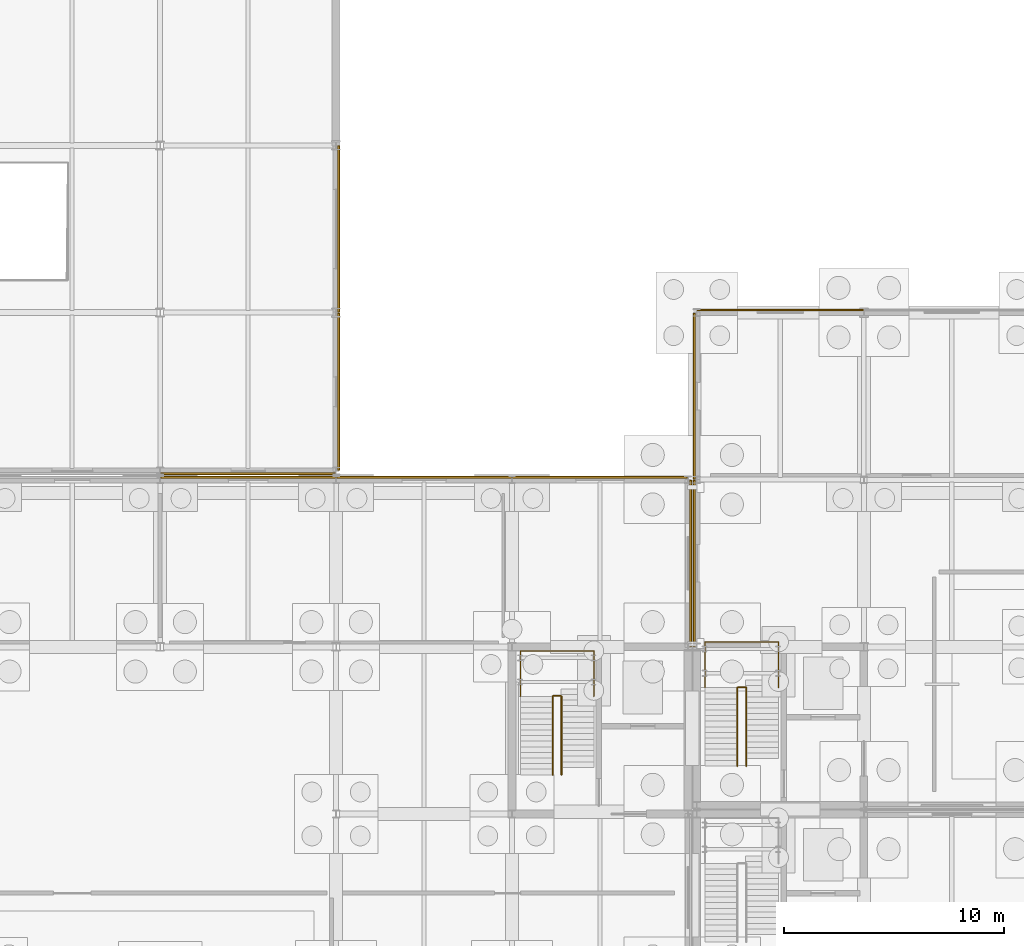
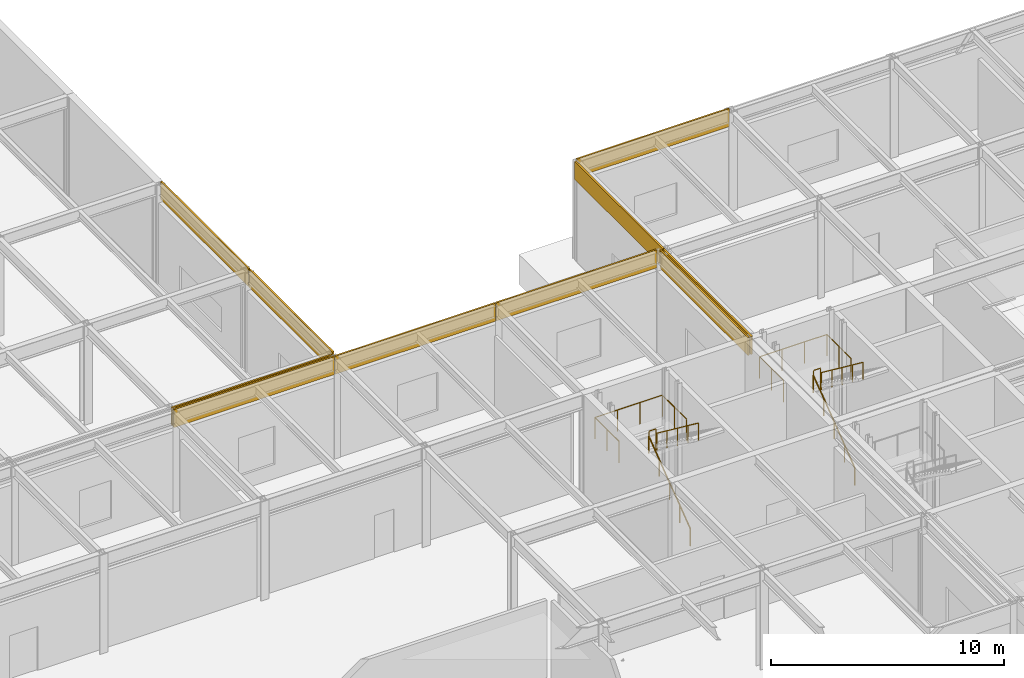
# One storey, part 58 of 62: 10 coverings, 8 railings.
"""IFC4 building model written with IfcOpenShell, lengths in metres."""

from ifc_helpers import new_model, si_unit, direction, frame, origin, origin_2d, place, context, subcontext, project, spatial, rectangle, circle, extrude, material, layer, layer_set, type_object, element, save


model = new_model("IFC4")

# Units and contexts
model_context = context("Model", 3, precision=1e-05, world=origin(), true_north=direction((0.0, 1.0)))
body_context = subcontext(model_context, "Body", "Model", "MODEL_VIEW")
ifc_project = project(units=[si_unit("LENGTHUNIT", "METRE"), si_unit("AREAUNIT", "SQUARE_METRE"), si_unit("VOLUMEUNIT", "CUBIC_METRE"), si_unit("PLANEANGLEUNIT", "RADIAN"), si_unit("MASSUNIT", "GRAM", prefix="KILO")], contexts=[model_context])

# Site, building, storey
site_placement = place(None, origin())
site = spatial("IfcSite", under=ifc_project, at=site_placement, CompositionType="ELEMENT")
building_placement = place(site_placement, origin())
building = spatial("IfcBuilding", under=site, at=building_placement, Name="Zulena Civic Courthouse", CompositionType="ELEMENT")
storey_placement = place(building_placement, origin())
storey = spatial("IfcBuildingStorey", under=building, at=storey_placement, Name="L00", CompositionType="ELEMENT", Elevation=0.0)

# Railings
ifc_material_1 = material(Name="Brushed architectural steel ASTM A36", Category="steel")
railing_type_1 = type_object("IfcRailingType", Name="InteriorGuardrail_1150", PredefinedType="GUARDRAIL", material=ifc_material_1)
railing_1_placement = place(storey_placement, frame((124.780029296875, 36.149658203125, 2.699951171875)))
element("IfcRailing", 1, at=railing_1_placement, inside=storey, type_object=railing_type_1, Name="gr:lnd:K3A:L00", PredefinedType="GUARDRAIL", context=body_context, shape_type="SweptSolid", body=[
    extrude(circle(Radius=0.02392578125, at=origin_2d()), frame((0.0, 0.00390625, 1.1259765625), z_axis=(0.0, 1.0, 0.0), x_axis=(-1.0, 0.0, 0.0)), (0.0, 0.0, 1.0), 2.062255859375),
    extrude(circle(Radius=0.02392578125, at=origin_2d()), frame((0.00390625, 2.0703125, 1.1259765625), z_axis=(1.0, 0.0, 0.0), x_axis=(0.0, 1.0, 0.0)), (0.0, 0.0, 1.0), 3.33203125),
    extrude(circle(Radius=0.02392578125, at=origin_2d()), frame((3.340087890625, 2.06640625, 1.1259765625), z_axis=(0.0, -1.0, 0.0), x_axis=(1.0, 0.0, 0.0)), (0.0, 0.0, 1.0), 2.062255859375),
    extrude(circle(Radius=0.02099609375, at=origin_2d()), origin(), (0.0, 0.0, 1.0), 1.097900390625),
    extrude(circle(Radius=0.02099609375, at=origin_2d()), frame((0.0, 1.03515625, 0.0)), (0.0, 0.0, 1.0), 1.097900390625),
    extrude(circle(Radius=0.02099609375, at=origin_2d()), frame((0.0, 2.0703125, 0.0)), (0.0, 0.0, 1.0), 1.097900390625),
    extrude(circle(Radius=0.02099609375, at=origin_2d()), frame((1.11328125, 2.0703125, 0.0)), (0.0, 0.0, 1.0), 1.097900390625),
    extrude(circle(Radius=0.02099609375, at=origin_2d()), frame((2.226806640625, 2.0703125, 0.0)), (0.0, 0.0, 1.0), 1.097900390625),
    extrude(circle(Radius=0.02099609375, at=origin_2d()), frame((3.340087890625, 2.0703125, 0.0)), (0.0, 0.0, 1.0), 1.097900390625),
    extrude(circle(Radius=0.02099609375, at=origin_2d()), frame((3.340087890625, 1.03515625, 0.0)), (0.0, 0.0, 1.0), 1.097900390625),
    extrude(circle(Radius=0.02099609375, at=origin_2d()), frame((3.340087890625, 0.0, 0.0)), (0.0, 0.0, 1.0), 1.097900390625),
])
railing_2_placement = place(storey_placement, frame((126.280029296875, 36.169921875, 2.699951171875)))
element("IfcRailing", 2, at=railing_2_placement, inside=storey, type_object=railing_type_1, Name="gr:lndslot:K3A:L00", PredefinedType="GUARDRAIL", context=body_context, shape_type="SweptSolid", body=[
    extrude(circle(Radius=0.02392578125, at=origin_2d()), frame((0.00390625, 0.0, 1.1259765625), z_axis=(1.0, 0.0, 0.0), x_axis=(0.0, 1.0, 0.0)), (0.0, 0.0, 1.0), 0.33203125),
    extrude(circle(Radius=0.02099609375, at=origin_2d()), origin(), (0.0, 0.0, 1.0), 1.097900390625),
    extrude(circle(Radius=0.02099609375, at=origin_2d()), frame((0.340087890625, 0.0, 0.0)), (0.0, 0.0, 1.0), 1.097900390625),
])
railing_3_placement = place(storey_placement, frame((116.3798828125, 35.74951171875, 2.699951171875)))
element("IfcRailing", 3, at=railing_3_placement, inside=storey, type_object=railing_type_1, Name="gr:lnd:K4B:L00", PredefinedType="GUARDRAIL", context=body_context, shape_type="SweptSolid", body=[
    extrude(circle(Radius=0.02392578125, at=origin_2d()), frame((0.0, 0.00390625, 1.1259765625), z_axis=(0.0, 1.0, 0.0), x_axis=(-1.0, 0.0, 0.0)), (0.0, 0.0, 1.0), 2.0625),
    extrude(circle(Radius=0.02392578125, at=origin_2d()), frame((0.00390625, 2.070556640625, 1.1259765625), z_axis=(1.0, 0.0, 0.0), x_axis=(0.0, 1.0, 0.0)), (0.0, 0.0, 1.0), 3.33203125),
    extrude(circle(Radius=0.02392578125, at=origin_2d()), frame((3.340087890625, 2.066650390625, 1.1259765625), z_axis=(0.0, -1.0, 0.0), x_axis=(1.0, 0.0, 0.0)), (0.0, 0.0, 1.0), 2.0625),
    extrude(circle(Radius=0.02099609375, at=origin_2d()), origin(), (0.0, 0.0, 1.0), 1.097900390625),
    extrude(circle(Radius=0.02099609375, at=origin_2d()), frame((0.0, 1.03515625, 0.0)), (0.0, 0.0, 1.0), 1.097900390625),
    extrude(circle(Radius=0.02099609375, at=origin_2d()), frame((0.0, 2.070556640625, 0.0)), (0.0, 0.0, 1.0), 1.097900390625),
    extrude(circle(Radius=0.02099609375, at=origin_2d()), frame((1.11328125, 2.070556640625, 0.0)), (0.0, 0.0, 1.0), 1.097900390625),
    extrude(circle(Radius=0.02099609375, at=origin_2d()), frame((2.226806640625, 2.070556640625, 0.0)), (0.0, 0.0, 1.0), 1.097900390625),
    extrude(circle(Radius=0.02099609375, at=origin_2d()), frame((3.340087890625, 2.070556640625, 0.0)), (0.0, 0.0, 1.0), 1.097900390625),
    extrude(circle(Radius=0.02099609375, at=origin_2d()), frame((3.340087890625, 1.03515625, 0.0)), (0.0, 0.0, 1.0), 1.097900390625),
    extrude(circle(Radius=0.02099609375, at=origin_2d()), frame((3.340087890625, 0.0, 0.0)), (0.0, 0.0, 1.0), 1.097900390625),
])
railing_4_placement = place(storey_placement, frame((117.8798828125, 35.77001953125, 2.699951171875)))
element("IfcRailing", 4, at=railing_4_placement, inside=storey, type_object=railing_type_1, Name="gr:lndslot:K4B:L00", PredefinedType="GUARDRAIL", context=body_context, shape_type="SweptSolid", body=[
    extrude(circle(Radius=0.02392578125, at=origin_2d()), frame((0.00390625, 0.0, 1.1259765625), z_axis=(1.0, 0.0, 0.0), x_axis=(0.0, 1.0, 0.0)), (0.0, 0.0, 1.0), 0.33203125),
    extrude(circle(Radius=0.02099609375, at=origin_2d()), origin(), (0.0, 0.0, 1.0), 1.097900390625),
    extrude(circle(Radius=0.02099609375, at=origin_2d()), frame((0.340087890625, 0.0, 0.0)), (0.0, 0.0, 1.0), 1.097900390625),
])

# Coverings
ifc_material_2 = material(Name="White architectural precast concrete C40/50", Category="concrete")
ifc_layer = layer(ifc_material_2, 0.0849609375)
ifc_layer_set = layer_set([ifc_layer], Name="White architectural precast concrete C40/50")
covering_type = type_object("IfcCoveringType", Name="PrecastSpandrelCladding_85", PredefinedType="CLADDING", material=ifc_layer_set)
for number, where, z_axis, x_axis, name in (
    (5, (124.280029296875, 41.800048828125, 4.25), (0.0, 0.0, 1.0), (0.0, 1.0, 0.0), "clad:sp:V3:L00:0:1"),
    (6, (124.280029296875, 49.39990234375, 4.25), (0.0, 0.0, 1.0), (0.0, 1.0, 0.0), "clad:sp:V3:L00:0:2"),
    (7, (128.199951171875, 53.320068359375, 4.25), (0.0, 0.0, 1.0), (1.0, 0.0, 0.0), "clad:sp:V3:L00:1:0"),
):
    element("IfcCovering", number, at=place(storey_placement, frame(where, z_axis=z_axis, x_axis=x_axis)), inside=storey, type_object=covering_type, Name=name, PredefinedType="CLADDING", context=body_context, shape_type="SweptSolid", body=[
        extrude(rectangle(XDim=7.56005859375, YDim=0.0849609375, at=origin_2d()), origin(), (0.0, 0.0, 1.0), 0.93994140625),
    ])
for number, where, z_axis, x_axis, name in (
    (8, (104.0, 45.719970703125, 4.25), (0.0, 0.0, 1.0), (1.0, 0.0, 0.0), "clad:sp:V4:L00:1:4"),
    (9, (112.0, 45.719970703125, 4.25), (0.0, 0.0, 1.0), (1.0, 0.0, 0.0), "clad:sp:V4:L00:1:5"),
    (10, (120.0, 45.719970703125, 4.25), (0.0, 0.0, 1.0), (1.0, 0.0, 0.0), "clad:sp:V4:L00:1:6"),
):
    element("IfcCovering", number, at=place(storey_placement, frame(where, z_axis=z_axis, x_axis=x_axis)), inside=storey, type_object=covering_type, Name=name, PredefinedType="CLADDING", context=body_context, shape_type="SweptSolid", body=[
        extrude(rectangle(XDim=7.9599609375, YDim=0.0849609375, at=origin_2d()), origin(), (0.0, 0.0, 1.0), 0.93994140625),
    ])
for number, where, z_axis, x_axis, name in (
    (11, (124.1201171875, 41.800048828125, 4.25), (0.0, 0.0, 1.0), (0.0, -1.0, 0.0), "clad:sp:V4:L00:2:0"),
    (12, (108.1201171875, 57.0, 4.25), (0.0, 0.0, 1.0), (0.0, -1.0, 0.0), "clad:sp:V5:L00:4:7"),
):
    element("IfcCovering", number, at=place(storey_placement, frame(where, z_axis=z_axis, x_axis=x_axis)), inside=storey, type_object=covering_type, Name=name, PredefinedType="CLADDING", context=body_context, shape_type="SweptSolid", body=[
        extrude(rectangle(XDim=7.56005859375, YDim=0.0849609375, at=origin_2d()), origin(), (0.0, 0.0, 1.0), 0.93994140625),
    ])
covering_1_placement = place(storey_placement, frame((108.1201171875, 49.60009765625, 4.25), z_axis=(0.0, 0.0, 1.0), x_axis=(0.0, -1.0, 0.0)))
element("IfcCovering", 13, at=covering_1_placement, inside=storey, type_object=covering_type, Name="clad:sp:V5:L00:4:8", PredefinedType="CLADDING", context=body_context, shape_type="SweptSolid", body=[
    extrude(rectangle(XDim=7.159912109375, YDim=0.0849609375, at=origin_2d()), origin(), (0.0, 0.0, 1.0), 0.93994140625),
])
covering_2_placement = place(storey_placement, frame((104.0, 45.8798828125, 4.25), z_axis=(0.0, 0.0, 1.0), x_axis=(-1.0, 0.0, 0.0)))
element("IfcCovering", 14, at=covering_2_placement, inside=storey, type_object=covering_type, Name="clad:sp:V5:L00:5:0", PredefinedType="CLADDING", context=body_context, shape_type="SweptSolid", body=[
    extrude(rectangle(XDim=7.9599609375, YDim=0.0849609375, at=origin_2d()), origin(), (0.0, 0.0, 1.0), 0.93994140625),
])

# Railings
railing_type_2 = type_object("IfcRailingType", Name="StairHandrail_920", PredefinedType="HANDRAIL", material=ifc_material_1)
railing_5_placement = place(storey_placement, frame((126.25, 32.580078125, 0.0)))
element("IfcRailing", 15, at=railing_5_placement, inside=storey, type_object=railing_type_2, Name="hr:K3A:L00:1", PredefinedType="HANDRAIL", context=body_context, shape_type="SweptSolid", body=[
    extrude(circle(Radius=0.02392578125, at=origin_2d()), frame((0.0, 0.003173828125, 0.898193359375), z_axis=(0.0, 0.797551790998, 0.603250479218), x_axis=(-1.0, 0.0, 0.0)), (0.0, 0.0, 1.0), 4.4677734375),
    extrude(circle(Radius=0.02099609375, at=origin_2d()), origin(), (0.0, 0.0, 1.0), 0.867919921875),
    extrude(circle(Radius=0.02099609375, at=origin_2d()), frame((0.0, 0.892333984375, 0.675048828125)), (0.0, 0.0, 1.0), 0.867919921875),
    extrude(circle(Radius=0.02099609375, at=origin_2d()), frame((0.0, 1.78466796875, 1.35009765625)), (0.0, 0.0, 1.0), 0.867919921875),
    extrude(circle(Radius=0.02099609375, at=origin_2d()), frame((0.0, 2.67724609375, 2.02490234375)), (0.0, 0.0, 1.0), 0.867919921875),
    extrude(circle(Radius=0.02099609375, at=origin_2d()), frame((0.0, 3.569580078125, 2.699951171875)), (0.0, 0.0, 1.0), 0.867919921875),
])
railing_6_placement = place(storey_placement, frame((126.64990234375, 36.149658203125, 2.699951171875)))
element("IfcRailing", 16, at=railing_6_placement, inside=storey, type_object=railing_type_2, Name="hr:K3A:L00:2", PredefinedType="HANDRAIL", context=body_context, shape_type="SweptSolid", body=[
    extrude(circle(Radius=0.02392578125, at=origin_2d()), frame((0.0, -0.003173828125, 0.898193359375), z_axis=(0.0, -0.797551790998, 0.603250479218), x_axis=(1.0, 0.0, 0.0)), (0.0, 0.0, 1.0), 4.4677734375),
    extrude(circle(Radius=0.02099609375, at=origin_2d()), origin(), (0.0, 0.0, 1.0), 0.867919921875),
    extrude(circle(Radius=0.02099609375, at=origin_2d()), frame((0.0, -0.892333984375, 0.675048828125)), (0.0, 0.0, 1.0), 0.867919921875),
    extrude(circle(Radius=0.02099609375, at=origin_2d()), frame((0.0, -1.78466796875, 1.35009765625)), (0.0, 0.0, 1.0), 0.867919921875),
    extrude(circle(Radius=0.02099609375, at=origin_2d()), frame((0.0, -2.67724609375, 2.02490234375)), (0.0, 0.0, 1.0), 0.867919921875),
    extrude(circle(Radius=0.02099609375, at=origin_2d()), frame((0.0, -3.569580078125, 2.699951171875)), (0.0, 0.0, 1.0), 0.867919921875),
])
railing_7_placement = place(storey_placement, frame((117.85009765625, 32.179931640625, 0.0)))
element("IfcRailing", 17, at=railing_7_placement, inside=storey, type_object=railing_type_2, Name="hr:K4B:L00:1", PredefinedType="HANDRAIL", context=body_context, shape_type="SweptSolid", body=[
    extrude(circle(Radius=0.02392578125, at=origin_2d()), frame((0.0, 0.003173828125, 0.898193359375), z_axis=(0.0, 0.797551790998, 0.603250479218), x_axis=(-1.0, 0.0, 0.0)), (0.0, 0.0, 1.0), 4.4677734375),
    extrude(circle(Radius=0.02099609375, at=origin_2d()), origin(), (0.0, 0.0, 1.0), 0.867919921875),
    extrude(circle(Radius=0.02099609375, at=origin_2d()), frame((0.0, 0.892333984375, 0.675048828125)), (0.0, 0.0, 1.0), 0.867919921875),
    extrude(circle(Radius=0.02099609375, at=origin_2d()), frame((0.0, 1.78466796875, 1.35009765625)), (0.0, 0.0, 1.0), 0.867919921875),
    extrude(circle(Radius=0.02099609375, at=origin_2d()), frame((0.0, 2.67724609375, 2.02490234375)), (0.0, 0.0, 1.0), 0.867919921875),
    extrude(circle(Radius=0.02099609375, at=origin_2d()), frame((0.0, 3.569580078125, 2.699951171875)), (0.0, 0.0, 1.0), 0.867919921875),
])
railing_8_placement = place(storey_placement, frame((118.25, 35.74951171875, 2.699951171875)))
element("IfcRailing", 18, at=railing_8_placement, inside=storey, type_object=railing_type_2, Name="hr:K4B:L00:2", PredefinedType="HANDRAIL", context=body_context, shape_type="SweptSolid", body=[
    extrude(circle(Radius=0.02392578125, at=origin_2d()), frame((0.0, -0.003173828125, 0.898193359375), z_axis=(0.0, -0.797551790998, 0.603250479218), x_axis=(1.0, 0.0, 0.0)), (0.0, 0.0, 1.0), 4.4677734375),
    extrude(circle(Radius=0.02099609375, at=origin_2d()), origin(), (0.0, 0.0, 1.0), 0.867919921875),
    extrude(circle(Radius=0.02099609375, at=origin_2d()), frame((0.0, -0.892333984375, 0.675048828125)), (0.0, 0.0, 1.0), 0.867919921875),
    extrude(circle(Radius=0.02099609375, at=origin_2d()), frame((0.0, -1.78466796875, 1.35009765625)), (0.0, 0.0, 1.0), 0.867919921875),
    extrude(circle(Radius=0.02099609375, at=origin_2d()), frame((0.0, -2.67724609375, 2.02490234375)), (0.0, 0.0, 1.0), 0.867919921875),
    extrude(circle(Radius=0.02099609375, at=origin_2d()), frame((0.0, -3.569580078125, 2.699951171875)), (0.0, 0.0, 1.0), 0.867919921875),
])

save(model, "model.ifc")
